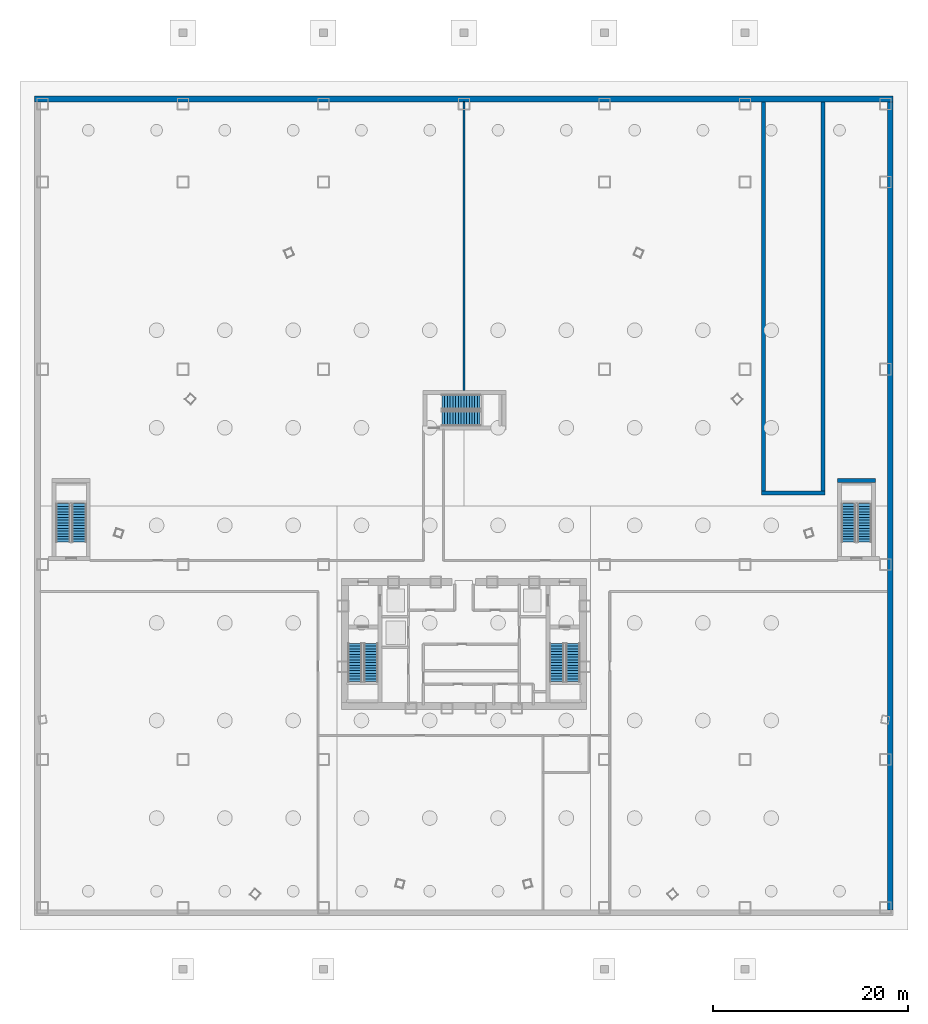
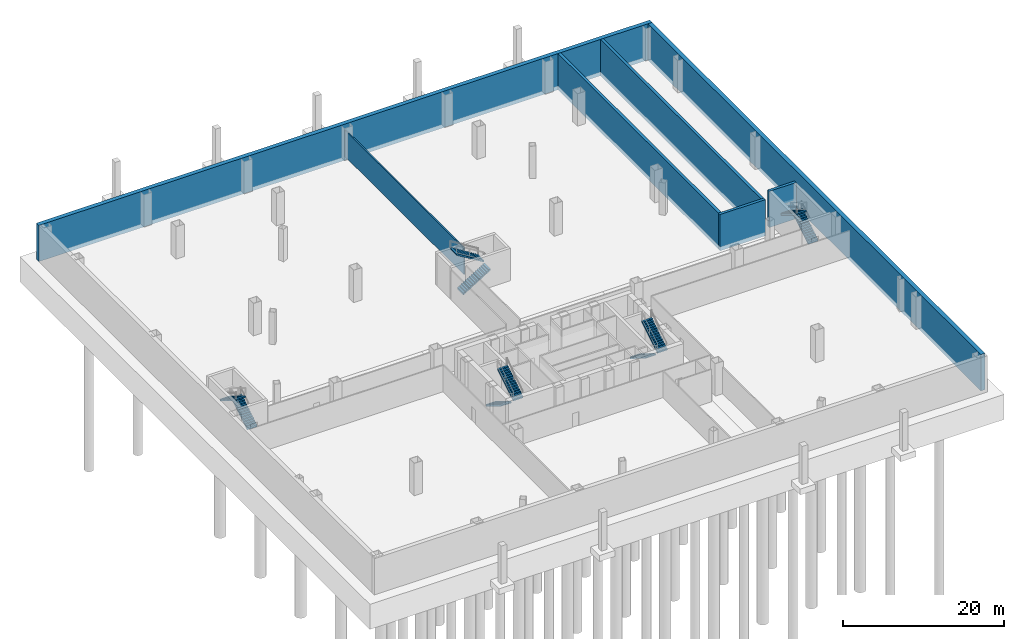
# One storey, part 11 of 15: 10 stair flights, 7 walls, 5 elements without a shape of their own.
"""IFC4 building model written with IfcOpenShell, lengths in metres."""

from ifc_helpers import new_model, si_unit, direction, frame, frame_2d, origin, place, context, subcontext, project, spatial, polyline, rectangle, outline, extrude, source, transform, mapped, material, layer, layer_set, type_object, element, aggregate, save


model = new_model("IFC4")

# Units and contexts
model_context = context("Model", 3, precision=1e-05, world=origin(), true_north=direction((0.0, 1.0)))
body_context = subcontext(model_context, "Body", "Model", "MODEL_VIEW")
ifc_project = project(units=[si_unit("LENGTHUNIT", "METRE"), si_unit("AREAUNIT", "SQUARE_METRE"), si_unit("VOLUMEUNIT", "CUBIC_METRE"), si_unit("PLANEANGLEUNIT", "RADIAN"), si_unit("MASSUNIT", "GRAM", prefix="KILO"), si_unit("THERMODYNAMICTEMPERATUREUNIT", "KELVIN"), si_unit("POWERUNIT", "WATT")], contexts=[model_context])

# Site, building, storey
site_placement = place(None, origin())
site = spatial("IfcSite", under=ifc_project, at=site_placement, CompositionType="ELEMENT")
building_placement = place(site_placement, origin())
building = spatial("IfcBuilding", under=site, at=building_placement, Name="Yunzhuo Pagoda Commons", CompositionType="ELEMENT")
storey_placement = place(building_placement, frame((0.0, 0.0, -10.0)))
storey = spatial("IfcBuildingStorey", under=building, at=storey_placement, Name="B02", CompositionType="ELEMENT", Elevation=-10.0)

# Walls
ifc_material_1 = material(Name="Concrete C50", Category="concrete")
ifc_layer_1 = layer(ifc_material_1, 0.60009765625)
ifc_layer_set_1 = layer_set([ifc_layer_1], Name="Concrete C50")
wall_type_1 = type_object("IfcWallType", Name="W-B01 Basement Perimeter Retaining Wall 600", PredefinedType="SHEAR", material=ifc_layer_set_1)
wall_1_placement = place(storey_placement, frame((4.0, 89.699951171875, -0.60009765625), z_axis=(0.0, 0.0, 1.0), x_axis=(1.0, 0.0, 0.0)))
element("IfcWall", 1, at=wall_1_placement, inside=storey, type_object=wall_type_1, Name="B02 N basement retaining wall", PredefinedType="SHEAR", context=body_context, shape_type="SweptSolid", body=[
    extrude(rectangle(XDim=88.0, YDim=0.60009765625, at=frame_2d((44.0, 0.0))), origin(), (0.0, 0.0, 1.0), 5.5),
])
wall_2_placement = place(storey_placement, frame((91.699951171875, 6.60009765625, -0.60009765625), z_axis=(0.0, 0.0, 1.0), x_axis=(0.0, 1.0, 0.0)))
element("IfcWall", 2, at=wall_2_placement, inside=storey, type_object=wall_type_1, Name="B02 E basement retaining wall", PredefinedType="SHEAR", context=body_context, shape_type="SweptSolid", body=[
    extrude(rectangle(XDim=82.7998046875, YDim=0.60009765625, at=frame_2d((41.39990234375, 0.0))), origin(), (0.0, 0.0, 1.0), 5.5),
])
ifc_material_2 = material(Name="Gypsum plasterboard on acoustic stud")
ifc_layer_2 = layer(ifc_material_2, 0.179931640625)
ifc_layer_set_2 = layer_set([ifc_layer_2], Name="Gypsum plasterboard on acoustic stud")
wall_type_2 = type_object("IfcWallType", Name="W-PRT2 Acoustic Unit Demising Wall 180", PredefinedType="PARTITIONING", material=ifc_layer_set_2)
wall_3_placement = place(storey_placement, frame((48.0, 59.800048828125, 0.0), z_axis=(0.0, 0.0, 1.0), x_axis=(0.0, 1.0, 0.0)))
element("IfcWall", 3, at=wall_3_placement, inside=storey, type_object=wall_type_2, Name="B02 interior wall IW-B02-DIVN", PredefinedType="PARTITIONING", context=body_context, shape_type="SweptSolid", body=[
    extrude(rectangle(XDim=29.599853515625, YDim=0.179931640625, at=frame_2d((14.7998046875, 0.0))), origin(), (0.0, 0.0, 1.0), 4.0),
])
ifc_material_3 = material(Name="Concrete C60", Category="concrete")
ifc_layer_3 = layer(ifc_material_3, 0.39990234375)
ifc_layer_set_3 = layer_set([ifc_layer_3], Name="Concrete C60")
wall_type_3 = type_object("IfcWallType", Name="W-S01 Internal Core Shear Web 400", PredefinedType="SHEAR", material=ifc_layer_set_3)
for number, where, z_axis, x_axis, name in (
    (4, (78.699951171875, 49.5, -0.60009765625), (0.0, 0.0, 1.0), (0.0, 1.0, 0.0), "B02 vehicle ramp west support shear wall"),
    (5, (84.800048828125, 49.5, -0.60009765625), (0.0, 0.0, 1.0), (0.0, 1.0, 0.0), "B02 vehicle ramp east support shear wall"),
):
    element("IfcWall", number, at=place(storey_placement, frame(where, z_axis=z_axis, x_axis=x_axis)), inside=storey, type_object=wall_type_3, Name=name, PredefinedType="SHEAR", context=body_context, shape_type="SweptSolid", body=[
        extrude(rectangle(XDim=39.89990234375, YDim=0.39990234375, at=frame_2d((19.949951171875, 0.0))), origin(), (0.0, 0.0, 1.0), 5.5),
    ])
wall_4_placement = place(storey_placement, frame((78.5, 49.300048828125, -0.60009765625), z_axis=(0.0, 0.0, 1.0), x_axis=(1.0, 0.0, 0.0)))
element("IfcWall", 6, at=wall_4_placement, inside=storey, type_object=wall_type_3, Name="B02 vehicle ramp toe transverse shear wall", PredefinedType="SHEAR", context=body_context, shape_type="SweptSolid", body=[
    extrude(rectangle(XDim=6.5, YDim=0.39990234375, at=frame_2d((3.25, 0.0))), origin(), (0.0, 0.0, 1.0), 5.5),
])
wall_5_placement = place(storey_placement, frame((86.300048828125, 50.60009765625, -0.60009765625), z_axis=(0.0, 0.0, 1.0), x_axis=(1.0, 0.0, 0.0)))
element("IfcWall", 7, at=wall_5_placement, inside=storey, type_object=wall_type_3, Name="B02 PS4 structural stair wall N", PredefinedType="SHEAR", context=body_context, shape_type="SweptSolid", body=[
    extrude(rectangle(XDim=3.89990234375, YDim=0.39990234375, at=frame_2d((1.949951171875, 0.0))), origin(), (0.0, 0.0, 1.0), 5.5),
])

# Stair, stair flights
ifc_material_4 = material(Name="Concrete C40", Category="concrete")
stair_type_1 = type_object("IfcStairType", Name="ST-C1 Core Smokeproof Stair ST1", PredefinedType="HALF_TURN_STAIR", material=ifc_material_4)
stair_1_placement = place(storey_placement, origin())
stair_1 = element("IfcStair", 8, at=stair_1_placement, inside=storey, type_object=stair_type_1, Name="B02 Core smokeproof stair ST1", PredefinedType="HALF_TURN_STAIR")
stair_flight_type_1 = type_object("IfcStairFlightType", Name="STF-C1 Core Stair Flight 1450", PredefinedType="STRAIGHT", material=ifc_material_4)
shared_shape_1 = source(origin(), body_context, "Body", "SweptSolid", [
    extrude(outline(polyline([(0.0, -0.14990234375), (0.0, 0.0), (0.0, 0.17333984375), (0.280029296875, 0.17333984375), (0.280029296875, 0.3466796875), (0.56005859375, 0.3466796875), (0.56005859375, 0.52001953125), (0.840087890625, 0.52001953125), (0.840087890625, 0.693359375), (1.1201171875, 0.693359375), (1.1201171875, 0.86669921875), (1.39990234375, 0.86669921875), (1.39990234375, 1.0400390625), (1.679931640625, 1.0400390625), (1.679931640625, 1.21337890625), (1.9599609375, 1.21337890625), (1.9599609375, 1.38671875), (2.239990234375, 1.38671875), (2.239990234375, 1.56005859375), (2.52001953125, 1.56005859375), (2.52001953125, 1.7333984375), (2.800048828125, 1.7333984375), (2.800048828125, 1.90673828125), (3.080078125, 1.90673828125), (3.080078125, 2.080078125), (3.360107421875, 2.080078125), (3.360107421875, 2.25341796875), (3.639892578125, 2.25341796875), (3.639892578125, 2.4267578125), (3.919921875, 2.4267578125), (3.919921875, 2.60009765625), (3.919921875, 2.250244140625), (0.284912109375, 0.0), (0.050048828125, -0.14990234375), (0.0, -0.14990234375)])), frame((0.0, 0.72509765625, 0.0), z_axis=(0.0, -1.0, 0.0), x_axis=(1.0, 0.0, 0.0)), (0.0, 0.0, 1.0), 1.449951171875),
])
stair_flight_1_placement = place(storey_placement, frame((36.824951171875, 33.89990234375, 0.0), z_axis=(0.0, 0.0, 1.0), x_axis=(0.0, -1.0, 0.0)))
stair_flight_1 = element("IfcStairFlight", 9, at=stair_flight_1_placement, type_object=stair_flight_type_1, Name="ST1 flight 1", NumberOfRisers=15, NumberOfTreads=14, PredefinedType="STRAIGHT", RiserHeight=0.173333333, TreadLength=0.28, context=body_context, shape_type="MappedRepresentation", body=[
    mapped(shared_shape_1, transform((0.0, 0.0, 0.0), scale=1.0)),
])
stair_flight_2_placement = place(storey_placement, frame((38.47509765625, 29.97998046875, 2.60009765625), z_axis=(0.0, 0.0, 1.0), x_axis=(0.0, 1.0, 0.0)))
stair_flight_2 = element("IfcStairFlight", 10, at=stair_flight_2_placement, type_object=stair_flight_type_1, Name="ST1 flight 2", NumberOfRisers=15, NumberOfTreads=14, PredefinedType="STRAIGHT", RiserHeight=0.173333333, TreadLength=0.28, context=body_context, shape_type="MappedRepresentation", body=[
    mapped(shared_shape_1, transform((0.0, 0.0, 0.0), scale=1.0)),
])
aggregate(stair_1, [stair_flight_1, stair_flight_2])

stair_type_2 = type_object("IfcStairType", Name="ST-C2 Core Smokeproof Stair ST2", PredefinedType="HALF_TURN_STAIR", material=ifc_material_4)
stair_2_placement = place(storey_placement, origin())
stair_2 = element("IfcStair", 11, at=stair_2_placement, inside=storey, type_object=stair_type_2, Name="B02 Core smokeproof stair ST2", PredefinedType="HALF_TURN_STAIR")
stair_flight_type_2 = type_object("IfcStairFlightType", Name="STF-C2 Core Stair Flight 1460", PredefinedType="STRAIGHT", material=ifc_material_4)
stair_flight_3_placement = place(storey_placement, frame((57.52490234375, 33.89990234375, 0.0), z_axis=(0.0, 0.0, 1.0), x_axis=(0.0, -1.0, 0.0)))
stair_flight_3 = element("IfcStairFlight", 12, at=stair_flight_3_placement, type_object=stair_flight_type_2, Name="ST2 flight 1", NumberOfRisers=15, NumberOfTreads=14, PredefinedType="STRAIGHT", RiserHeight=0.173333333, TreadLength=0.28, context=body_context, shape_type="MappedRepresentation", body=[
    mapped(shared_shape_1, transform((0.0, 0.0, 0.0), scale=1.0)),
])
stair_flight_4_placement = place(storey_placement, frame((59.175048828125, 29.97998046875, 2.60009765625), z_axis=(0.0, 0.0, 1.0), x_axis=(0.0, 1.0, 0.0)))
stair_flight_4 = element("IfcStairFlight", 13, at=stair_flight_4_placement, type_object=stair_flight_type_2, Name="ST2 flight 2", NumberOfRisers=15, NumberOfTreads=14, PredefinedType="STRAIGHT", RiserHeight=0.173333333, TreadLength=0.28, context=body_context, shape_type="MappedRepresentation", body=[
    mapped(shared_shape_1, transform((0.0, 0.0, 0.0), scale=1.0)),
])
aggregate(stair_2, [stair_flight_3, stair_flight_4])

stair_type_3 = type_object("IfcStairType", Name="ST-P3 Podium Exit Stair PS3", PredefinedType="HALF_TURN_STAIR", material=ifc_material_4)
stair_3_placement = place(storey_placement, origin())
stair_3 = element("IfcStair", 14, at=stair_3_placement, inside=storey, type_object=stair_type_3, Name="B02 Podium exit stair PS3", PredefinedType="HALF_TURN_STAIR")
stair_flight_type_3 = type_object("IfcStairFlightType", Name="STF-P3 Podium Stair Flight 1455", PredefinedType="STRAIGHT", material=ifc_material_4)
stair_flight_5_placement = place(storey_placement, frame((8.574951171875, 44.300048828125, 0.0), z_axis=(0.0, 0.0, 1.0), x_axis=(0.0, 1.0, 0.0)))
stair_flight_5 = element("IfcStairFlight", 15, at=stair_flight_5_placement, type_object=stair_flight_type_3, Name="PS3 flight 1", NumberOfRisers=15, NumberOfTreads=14, PredefinedType="STRAIGHT", RiserHeight=0.173333333, TreadLength=0.28, context=body_context, shape_type="MappedRepresentation", body=[
    mapped(shared_shape_1, transform((0.0, 0.0, 0.0), scale=1.0)),
])
stair_flight_6_placement = place(storey_placement, frame((6.925048828125, 48.219970703125, 2.60009765625), z_axis=(0.0, 0.0, 1.0), x_axis=(0.0, -1.0, 0.0)))
stair_flight_6 = element("IfcStairFlight", 16, at=stair_flight_6_placement, type_object=stair_flight_type_3, Name="PS3 flight 2", NumberOfRisers=15, NumberOfTreads=14, PredefinedType="STRAIGHT", RiserHeight=0.173333333, TreadLength=0.28, context=body_context, shape_type="MappedRepresentation", body=[
    mapped(shared_shape_1, transform((0.0, 0.0, 0.0), scale=1.0)),
])
aggregate(stair_3, [stair_flight_5, stair_flight_6])

stair_type_4 = type_object("IfcStairType", Name="ST-P4 Podium Exit Stair PS4", PredefinedType="HALF_TURN_STAIR", material=ifc_material_4)
stair_4_placement = place(storey_placement, origin())
stair_4 = element("IfcStair", 17, at=stair_4_placement, inside=storey, type_object=stair_type_4, Name="B02 Podium exit stair PS4", PredefinedType="HALF_TURN_STAIR")
stair_flight_type_4 = type_object("IfcStairFlightType", Name="STF-P4 Podium Stair Flight 1465", PredefinedType="STRAIGHT", material=ifc_material_4)
stair_flight_7_placement = place(storey_placement, frame((89.074951171875, 44.300048828125, 0.0), z_axis=(0.0, 0.0, 1.0), x_axis=(0.0, 1.0, 0.0)))
stair_flight_7 = element("IfcStairFlight", 18, at=stair_flight_7_placement, type_object=stair_flight_type_4, Name="PS4 flight 1", NumberOfRisers=15, NumberOfTreads=14, PredefinedType="STRAIGHT", RiserHeight=0.173333333, TreadLength=0.28, context=body_context, shape_type="MappedRepresentation", body=[
    mapped(shared_shape_1, transform((0.0, 0.0, 0.0), scale=1.0)),
])
stair_flight_8_placement = place(storey_placement, frame((87.425048828125, 48.219970703125, 2.60009765625), z_axis=(0.0, 0.0, 1.0), x_axis=(0.0, -1.0, 0.0)))
stair_flight_8 = element("IfcStairFlight", 19, at=stair_flight_8_placement, type_object=stair_flight_type_4, Name="PS4 flight 2", NumberOfRisers=15, NumberOfTreads=14, PredefinedType="STRAIGHT", RiserHeight=0.173333333, TreadLength=0.28, context=body_context, shape_type="MappedRepresentation", body=[
    mapped(shared_shape_1, transform((0.0, 0.0, 0.0), scale=1.0)),
])
aggregate(stair_4, [stair_flight_7, stair_flight_8])

stair_type_5 = type_object("IfcStairType", Name="ST-C3 North Tower Smokeproof Stair ST3", PredefinedType="HALF_TURN_STAIR", material=ifc_material_4)
stair_5_placement = place(storey_placement, origin())
stair_5 = element("IfcStair", 20, at=stair_5_placement, inside=storey, type_object=stair_type_5, Name="B02 North tower smokeproof stair ST3", PredefinedType="HALF_TURN_STAIR")
stair_flight_type_5 = type_object("IfcStairFlightType", Name="STF-C3 North Stair Flight 1500", PredefinedType="STRAIGHT", material=ifc_material_4)
shared_shape_2 = source(origin(), body_context, "Body", "SweptSolid", [
    extrude(outline(polyline([(0.0, -0.14990234375), (0.0, 0.0), (0.0, 0.17333984375), (0.280029296875, 0.17333984375), (0.280029296875, 0.3466796875), (0.56005859375, 0.3466796875), (0.56005859375, 0.52001953125), (0.840087890625, 0.52001953125), (0.840087890625, 0.693359375), (1.1201171875, 0.693359375), (1.1201171875, 0.86669921875), (1.39990234375, 0.86669921875), (1.39990234375, 1.0400390625), (1.679931640625, 1.0400390625), (1.679931640625, 1.21337890625), (1.9599609375, 1.21337890625), (1.9599609375, 1.38671875), (2.239990234375, 1.38671875), (2.239990234375, 1.56005859375), (2.52001953125, 1.56005859375), (2.52001953125, 1.7333984375), (2.800048828125, 1.7333984375), (2.800048828125, 1.90673828125), (3.080078125, 1.90673828125), (3.080078125, 2.080078125), (3.360107421875, 2.080078125), (3.360107421875, 2.25341796875), (3.639892578125, 2.25341796875), (3.639892578125, 2.4267578125), (3.919921875, 2.4267578125), (3.919921875, 2.60009765625), (3.919921875, 2.250244140625), (0.284912109375, 0.0), (0.050048828125, -0.14990234375), (0.0, -0.14990234375)])), frame((0.0, 0.75, 0.0), z_axis=(0.0, -1.0, 0.0), x_axis=(1.0, 0.0, 0.0)), (0.0, 0.0, 1.0), 1.5),
])
stair_flight_9_placement = place(storey_placement, frame((45.75, 56.949951171875, 0.0), z_axis=(0.0, 0.0, 1.0), x_axis=(1.0, 0.0, 0.0)))
stair_flight_9 = element("IfcStairFlight", 21, at=stair_flight_9_placement, type_object=stair_flight_type_5, Name="ST3 flight 1", NumberOfRisers=15, NumberOfTreads=14, PredefinedType="STRAIGHT", RiserHeight=0.173333333, TreadLength=0.28, context=body_context, shape_type="MappedRepresentation", body=[
    mapped(shared_shape_2, transform((0.0, 0.0, 0.0), scale=1.0)),
])
stair_flight_10_placement = place(storey_placement, frame((49.669921875, 58.64990234375, 2.60009765625), z_axis=(0.0, 0.0, 1.0), x_axis=(-1.0, 0.0, 0.0)))
stair_flight_10 = element("IfcStairFlight", 22, at=stair_flight_10_placement, type_object=stair_flight_type_5, Name="ST3 flight 2", NumberOfRisers=15, NumberOfTreads=14, PredefinedType="STRAIGHT", RiserHeight=0.173333333, TreadLength=0.28, context=body_context, shape_type="MappedRepresentation", body=[
    mapped(shared_shape_2, transform((0.0, 0.0, 0.0), scale=1.0)),
])
aggregate(stair_5, [stair_flight_9, stair_flight_10])

save(model, "model.ifc")
